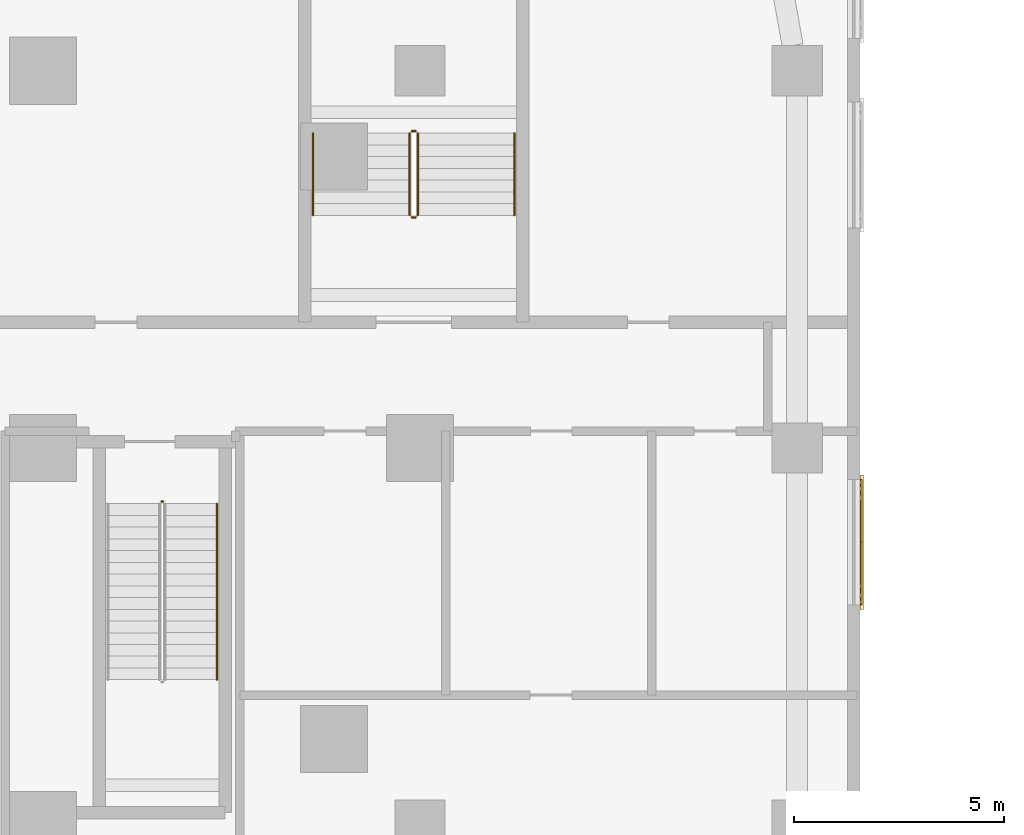
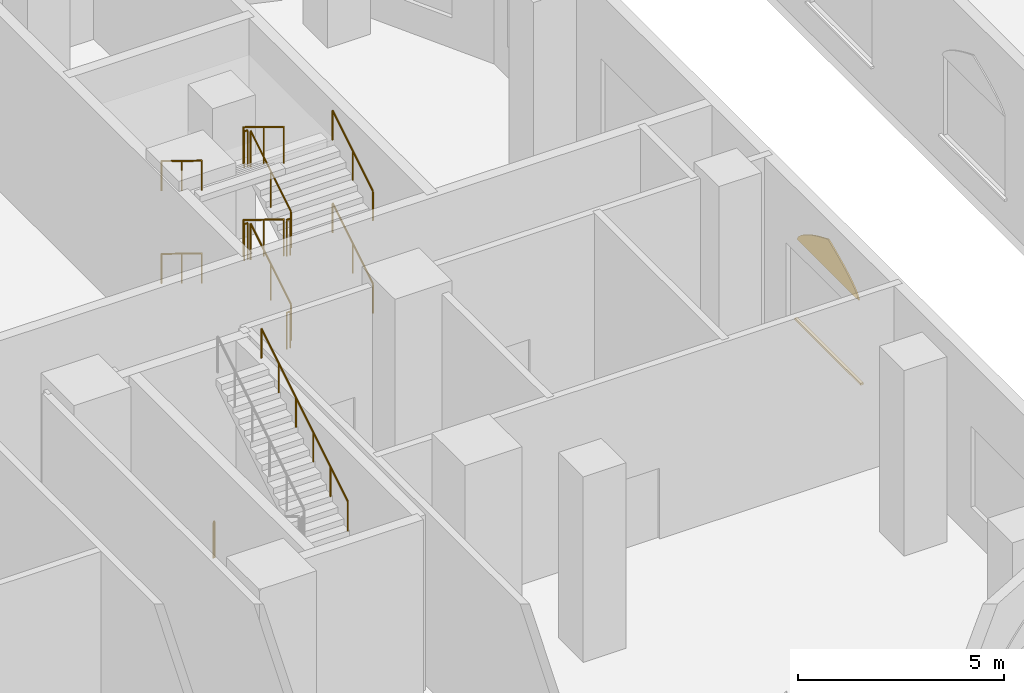
# One storey, part 28 of 31: 14 railings, 2 coverings.
"""IFC4 building model written with IfcOpenShell, lengths in metres."""

from ifc_helpers import new_model, si_unit, direction, frame, origin, origin_2d, place, context, subcontext, project, spatial, polyline, rectangle, circle, outline, extrude, material, layer, layer_set, type_object, element, save


model = new_model("IFC4")

# Units and contexts
model_context = context("Model", 3, precision=1e-05, world=origin(), true_north=direction((0.0, 1.0)))
body_context = subcontext(model_context, "Body", "Model", "MODEL_VIEW")
ifc_project = project(units=[si_unit("LENGTHUNIT", "METRE"), si_unit("AREAUNIT", "SQUARE_METRE"), si_unit("VOLUMEUNIT", "CUBIC_METRE"), si_unit("PLANEANGLEUNIT", "RADIAN"), si_unit("MASSUNIT", "GRAM", prefix="KILO")], contexts=[model_context])

# Site, building, storey
site_placement = place(None, origin())
site = spatial("IfcSite", under=ifc_project, at=site_placement, CompositionType="ELEMENT")
building_placement = place(site_placement, origin())
building = spatial("IfcBuilding", under=site, at=building_placement, Name="Ogive Portal Towers", CompositionType="ELEMENT")
storey_placement = place(building_placement, frame((0.0, 0.0, 8.0)))
storey = spatial("IfcBuildingStorey", under=building, at=storey_placement, Name="L01", CompositionType="ELEMENT", Elevation=8.0)

# Railings
ifc_material_1 = material(Name="Stainless steel balustrade", Category="steel")
railing_type_1 = type_object("IfcRailingType", Name="INT-GUARD", PredefinedType="GUARDRAIL", material=ifc_material_1)
railing_1_placement = place(storey_placement, frame((88.330078125, 29.219970703125, 0.0)))
element("IfcRailing", 1, at=railing_1_placement, inside=storey, type_object=railing_type_1, Name="L01 ST-A4 stair guard 4", PredefinedType="GUARDRAIL", context=body_context, shape_type="SweptSolid", body=[
    extrude(circle(Radius=0.02392578125, at=origin_2d()), frame((0.0, 0.0, 1.076171875), z_axis=(1.0, 0.0, 0.0), x_axis=(0.0, 1.0, 0.0)), (0.0, 0.0, 1.0), 0.0400390625),
    extrude(circle(Radius=0.02099609375, at=origin_2d()), origin(), (0.0, 0.0, 1.0), 1.052001953125),
    extrude(circle(Radius=0.02099609375, at=origin_2d()), frame((0.0400390625, 0.0, 0.0)), (0.0, 0.0, 1.0), 1.052001953125),
])
railing_2_placement = place(storey_placement, frame((94.449951171875, 36.050048828125, 0.171875)))
element("IfcRailing", 2, at=railing_2_placement, inside=storey, type_object=railing_type_1, Name="L01 ST-P1 stair guard 1", PredefinedType="GUARDRAIL", context=body_context, shape_type="SweptSolid", body=[
    extrude(circle(Radius=0.02392578125, at=origin_2d()), frame((0.0, 0.0, 1.076171875), z_axis=(0.0, 0.852240978134, 0.523149419562), x_axis=(-1.0, 0.0, 0.0)), (0.0, 0.0, 1.0), 2.2998046875),
    extrude(circle(Radius=0.02099609375, at=origin_2d()), origin(), (0.0, 0.0, 1.0), 1.052001953125),
    extrude(circle(Radius=0.02099609375, at=origin_2d()), frame((0.0, 0.97998046875, 0.6015625)), (0.0, 0.0, 1.0), 1.052001953125),
    extrude(circle(Radius=0.02099609375, at=origin_2d()), frame((0.0, 1.9599609375, 1.203125)), (0.0, 0.0, 1.0), 1.052001953125),
])
railing_3_placement = place(storey_placement, frame((94.39990234375, 38.06005859375, 1.375)))
element("IfcRailing", 3, at=railing_3_placement, inside=storey, type_object=railing_type_1, Name="L01 ST-P1 stair guard 2", PredefinedType="GUARDRAIL", context=body_context, shape_type="SweptSolid", body=[
    extrude(circle(Radius=0.02392578125, at=origin_2d()), frame((0.0, 0.0, 1.076171875), z_axis=(-1.0, 0.0, 0.0), x_axis=(0.0, -1.0, 0.0)), (0.0, 0.0, 1.0), 0.099853515625),
    extrude(circle(Radius=0.02099609375, at=origin_2d()), origin(), (0.0, 0.0, 1.0), 1.052001953125),
    extrude(circle(Radius=0.02099609375, at=origin_2d()), frame((-0.099853515625, 0.0, 0.0)), (0.0, 0.0, 1.0), 1.052001953125),
])
railing_4_placement = place(storey_placement, frame((94.25, 38.010009765625, 1.546875)))
element("IfcRailing", 4, at=railing_4_placement, inside=storey, type_object=railing_type_1, Name="L01 ST-P1 stair guard 3", PredefinedType="GUARDRAIL", context=body_context, shape_type="SweptSolid", body=[
    extrude(circle(Radius=0.02392578125, at=origin_2d()), frame((0.0, 0.0, 1.076171875), z_axis=(0.0, -0.852240978134, 0.523149419562), x_axis=(1.0, 0.0, 0.0)), (0.0, 0.0, 1.0), 2.2998046875),
    extrude(circle(Radius=0.02099609375, at=origin_2d()), origin(), (0.0, 0.0, 1.0), 1.052001953125),
    extrude(circle(Radius=0.02099609375, at=origin_2d()), frame((0.0, -0.97998046875, 0.6015625)), (0.0, 0.0, 1.0), 1.052001953125),
    extrude(circle(Radius=0.02099609375, at=origin_2d()), frame((0.0, -1.9599609375, 1.203125)), (0.0, 0.0, 1.0), 1.052001953125),
])
railing_5_placement = place(storey_placement, frame((94.39990234375, 36.0, 2.75)))
element("IfcRailing", 5, at=railing_5_placement, inside=storey, type_object=railing_type_1, Name="L01 ST-P1 stair guard 4", PredefinedType="GUARDRAIL", context=body_context, shape_type="SweptSolid", body=[
    extrude(circle(Radius=0.02392578125, at=origin_2d()), frame((0.0, 0.0, 1.076171875), z_axis=(-1.0, 0.0, 0.0), x_axis=(0.0, -1.0, 0.0)), (0.0, 0.0, 1.0), 0.099853515625),
    extrude(circle(Radius=0.02099609375, at=origin_2d()), origin(), (0.0, 0.0, 1.0), 1.052001953125),
    extrude(circle(Radius=0.02099609375, at=origin_2d()), frame((-0.099853515625, 0.0, 0.0)), (0.0, 0.0, 1.0), 1.052001953125),
])
railing_6_placement = place(storey_placement, frame((94.449951171875, 36.050048828125, 2.921875)))
element("IfcRailing", 6, at=railing_6_placement, inside=storey, type_object=railing_type_1, Name="L01 ST-P1 stair guard 5", PredefinedType="GUARDRAIL", context=body_context, shape_type="SweptSolid", body=[
    extrude(circle(Radius=0.02392578125, at=origin_2d()), frame((0.0, 0.0, 1.076171875), z_axis=(0.0, 0.852240978134, 0.523149419562), x_axis=(-1.0, 0.0, 0.0)), (0.0, 0.0, 1.0), 2.2998046875),
    extrude(circle(Radius=0.02099609375, at=origin_2d()), origin(), (0.0, 0.0, 1.0), 1.052001953125),
    extrude(circle(Radius=0.02099609375, at=origin_2d()), frame((0.0, 0.97998046875, 0.6015625)), (0.0, 0.0, 1.0), 1.052001953125),
    extrude(circle(Radius=0.02099609375, at=origin_2d()), frame((0.0, 1.9599609375, 1.203125)), (0.0, 0.0, 1.0), 1.052001953125),
])
railing_7_placement = place(storey_placement, frame((94.39990234375, 38.06005859375, 4.125)))
element("IfcRailing", 7, at=railing_7_placement, inside=storey, type_object=railing_type_1, Name="L01 ST-P1 stair guard 6", PredefinedType="GUARDRAIL", context=body_context, shape_type="SweptSolid", body=[
    extrude(circle(Radius=0.02392578125, at=origin_2d()), frame((0.0, 0.0, 1.076171875), z_axis=(-1.0, 0.0, 0.0), x_axis=(0.0, -1.0, 0.0)), (0.0, 0.0, 1.0), 0.099853515625),
    extrude(circle(Radius=0.02099609375, at=origin_2d()), origin(), (0.0, 0.0, 1.0), 1.052001953125),
    extrude(circle(Radius=0.02099609375, at=origin_2d()), frame((-0.099853515625, 0.0, 0.0)), (0.0, 0.0, 1.0), 1.052001953125),
])
railing_8_placement = place(storey_placement, frame((94.25, 38.010009765625, 4.296875)))
element("IfcRailing", 8, at=railing_8_placement, inside=storey, type_object=railing_type_1, Name="L01 ST-P1 stair guard 7", PredefinedType="GUARDRAIL", context=body_context, shape_type="SweptSolid", body=[
    extrude(circle(Radius=0.02392578125, at=origin_2d()), frame((0.0, 0.0, 1.076171875), z_axis=(0.0, -0.852240978134, 0.523149419562), x_axis=(1.0, 0.0, 0.0)), (0.0, 0.0, 1.0), 2.2998046875),
    extrude(circle(Radius=0.02099609375, at=origin_2d()), origin(), (0.0, 0.0, 1.0), 1.052001953125),
    extrude(circle(Radius=0.02099609375, at=origin_2d()), frame((0.0, -0.97998046875, 0.6015625)), (0.0, 0.0, 1.0), 1.052001953125),
    extrude(circle(Radius=0.02099609375, at=origin_2d()), frame((0.0, -1.9599609375, 1.203125)), (0.0, 0.0, 1.0), 1.052001953125),
])
railing_9_placement = place(storey_placement, frame((94.39990234375, 36.0, 0.0)))
element("IfcRailing", 9, at=railing_9_placement, inside=storey, type_object=railing_type_1, Name="L01 ST-P1 stair guard 8", PredefinedType="GUARDRAIL", context=body_context, shape_type="SweptSolid", body=[
    extrude(circle(Radius=0.02392578125, at=origin_2d()), frame((0.0, 0.0, 1.076171875), z_axis=(-1.0, 0.0, 0.0), x_axis=(0.0, -1.0, 0.0)), (0.0, 0.0, 1.0), 0.099853515625),
    extrude(circle(Radius=0.02099609375, at=origin_2d()), origin(), (0.0, 0.0, 1.0), 1.052001953125),
    extrude(circle(Radius=0.02099609375, at=origin_2d()), frame((-0.099853515625, 0.0, 0.0)), (0.0, 0.0, 1.0), 1.052001953125),
])
ifc_material_2 = material(Name="Stainless steel handrail", Category="steel")
railing_type_2 = type_object("IfcRailingType", Name="INT-HANDRAIL", PredefinedType="HANDRAIL", material=ifc_material_2)
railing_10_placement = place(storey_placement, frame((89.64990234375, 24.969970703125, 2.921875)))
element("IfcRailing", 10, at=railing_10_placement, inside=storey, type_object=railing_type_2, Name="L01 ST-A4 stair handrail 2", PredefinedType="HANDRAIL", context=body_context, shape_type="SweptSolid", body=[
    extrude(circle(Radius=0.02392578125, at=origin_2d()), frame((0.0, 0.0, 0.8759765625), z_axis=(0.0, 0.852242915053, 0.523146264196), x_axis=(-1.0, 0.0, 0.0)), (0.0, 0.0, 1.0), 4.92822265625),
    extrude(circle(Radius=0.02099609375, at=origin_2d()), origin(), (0.0, 0.0, 1.0), 0.851806640625),
    extrude(circle(Radius=0.02099609375, at=origin_2d()), frame((0.0, 0.840087890625, 0.515625)), (0.0, 0.0, 1.0), 0.851806640625),
    extrude(circle(Radius=0.02099609375, at=origin_2d()), frame((0.0, 1.679931640625, 1.03125)), (0.0, 0.0, 1.0), 0.851806640625),
    extrude(circle(Radius=0.02099609375, at=origin_2d()), frame((0.0, 2.52001953125, 1.546875)), (0.0, 0.0, 1.0), 0.851806640625),
    extrude(circle(Radius=0.02099609375, at=origin_2d()), frame((0.0, 3.35986328125, 2.0625)), (0.0, 0.0, 1.0), 0.851806640625),
    extrude(circle(Radius=0.02099609375, at=origin_2d()), frame((0.0, 4.199951171875, 2.578125)), (0.0, 0.0, 1.0), 0.851806640625),
])
railing_11_placement = place(storey_placement, frame((96.75, 36.050048828125, 0.171875)))
element("IfcRailing", 11, at=railing_11_placement, inside=storey, type_object=railing_type_2, Name="L01 ST-P1 stair handrail 1", PredefinedType="HANDRAIL", context=body_context, shape_type="SweptSolid", body=[
    extrude(circle(Radius=0.02392578125, at=origin_2d()), frame((0.0, 0.0, 0.8759765625), z_axis=(0.0, 0.852240978134, 0.523149419562), x_axis=(-1.0, 0.0, 0.0)), (0.0, 0.0, 1.0), 2.2998046875),
    extrude(circle(Radius=0.02099609375, at=origin_2d()), origin(), (0.0, 0.0, 1.0), 0.851806640625),
    extrude(circle(Radius=0.02099609375, at=origin_2d()), frame((0.0, 0.97998046875, 0.6015625)), (0.0, 0.0, 1.0), 0.851806640625),
    extrude(circle(Radius=0.02099609375, at=origin_2d()), frame((0.0, 1.9599609375, 1.203125)), (0.0, 0.0, 1.0), 0.851806640625),
])
railing_12_placement = place(storey_placement, frame((91.949951171875, 38.010009765625, 1.546875)))
element("IfcRailing", 12, at=railing_12_placement, inside=storey, type_object=railing_type_2, Name="L01 ST-P1 stair handrail 2", PredefinedType="HANDRAIL", context=body_context, shape_type="SweptSolid", body=[
    extrude(circle(Radius=0.02392578125, at=origin_2d()), frame((0.0, 0.0, 0.8759765625), z_axis=(0.0, -0.852240978134, 0.523149419562), x_axis=(1.0, 0.0, 0.0)), (0.0, 0.0, 1.0), 2.2998046875),
    extrude(circle(Radius=0.02099609375, at=origin_2d()), origin(), (0.0, 0.0, 1.0), 0.851806640625),
    extrude(circle(Radius=0.02099609375, at=origin_2d()), frame((0.0, -0.97998046875, 0.6015625)), (0.0, 0.0, 1.0), 0.851806640625),
    extrude(circle(Radius=0.02099609375, at=origin_2d()), frame((0.0, -1.9599609375, 1.203125)), (0.0, 0.0, 1.0), 0.851806640625),
])
railing_13_placement = place(storey_placement, frame((96.75, 36.050048828125, 2.921875)))
element("IfcRailing", 13, at=railing_13_placement, inside=storey, type_object=railing_type_2, Name="L01 ST-P1 stair handrail 3", PredefinedType="HANDRAIL", context=body_context, shape_type="SweptSolid", body=[
    extrude(circle(Radius=0.02392578125, at=origin_2d()), frame((0.0, 0.0, 0.8759765625), z_axis=(0.0, 0.852240978134, 0.523149419562), x_axis=(-1.0, 0.0, 0.0)), (0.0, 0.0, 1.0), 2.2998046875),
    extrude(circle(Radius=0.02099609375, at=origin_2d()), origin(), (0.0, 0.0, 1.0), 0.851806640625),
    extrude(circle(Radius=0.02099609375, at=origin_2d()), frame((0.0, 0.97998046875, 0.6015625)), (0.0, 0.0, 1.0), 0.851806640625),
    extrude(circle(Radius=0.02099609375, at=origin_2d()), frame((0.0, 1.9599609375, 1.203125)), (0.0, 0.0, 1.0), 0.851806640625),
])
railing_14_placement = place(storey_placement, frame((91.949951171875, 38.010009765625, 4.296875)))
element("IfcRailing", 14, at=railing_14_placement, inside=storey, type_object=railing_type_2, Name="L01 ST-P1 stair handrail 4", PredefinedType="HANDRAIL", context=body_context, shape_type="SweptSolid", body=[
    extrude(circle(Radius=0.02392578125, at=origin_2d()), frame((0.0, 0.0, 0.8759765625), z_axis=(0.0, -0.852240978134, 0.523149419562), x_axis=(1.0, 0.0, 0.0)), (0.0, 0.0, 1.0), 2.2998046875),
    extrude(circle(Radius=0.02099609375, at=origin_2d()), origin(), (0.0, 0.0, 1.0), 0.851806640625),
    extrude(circle(Radius=0.02099609375, at=origin_2d()), frame((0.0, -0.97998046875, 0.6015625)), (0.0, 0.0, 1.0), 0.851806640625),
    extrude(circle(Radius=0.02099609375, at=origin_2d()), frame((0.0, -1.9599609375, 1.203125)), (0.0, 0.0, 1.0), 0.851806640625),
])

# Coverings
ifc_material_3 = material(Name="Limestone cladding on lightweight block wall", Category="masonry")
ifc_layer_1 = layer(ifc_material_3, 0.0400390625)
ifc_layer_set_1 = layer_set([ifc_layer_1], Name="LANCET HEAD STONE")
covering_type_1 = type_object("IfcCoveringType", Name="LANCET HEAD STONE", PredefinedType="CLADDING", material=ifc_layer_set_1)
covering_1_placement = place(storey_placement, frame((105.0, 26.75, 3.300048828125), z_axis=(-0.999950056531, 0.0, 0.009994220538), x_axis=(0.0, 1.0, 0.0)))
element("IfcCovering", 15, at=covering_1_placement, inside=storey, type_object=covering_type_1, Name="Lancet head", PredefinedType="CLADDING", context=body_context, shape_type="SweptSolid", body=[
    extrude(outline(polyline([(0.0, 0.0), (3.0, 0.0), (2.93359375, -0.11255540702230543), (2.8125, -0.22486424561759202), (2.655517578125, -0.3374196526398974), (2.4697265625, -0.4499726196669543), (2.2587890625, -0.5625280266892596), (2.025634765625, -0.6750834337115651), (1.772216796875, -0.7873922723068517), (1.5, -0.8999476793291572), (1.227783203125, -0.7873922723068517), (0.974365234375, -0.6750834337115651), (0.7412109375, -0.5625280266892596), (0.5302734375, -0.4499726196669543), (0.344482421875, -0.3374196526398974), (0.1875, -0.22486424561759202), (0.06640625, -0.11255540702230543), (0.0, 0.0)])), origin(), (0.0, 0.0, -1.0), 0.0400390625),
])
ifc_layer_2 = layer(ifc_material_3, 0.080078125)
ifc_layer_set_2 = layer_set([ifc_layer_2], Name="STONE SILL 80")
covering_type_2 = type_object("IfcCoveringType", Name="STONE SILL 80", PredefinedType="CLADDING", material=ifc_layer_set_2)
covering_2_placement = place(storey_placement, frame((105.0400390625, 28.25, 0.840087890625), z_axis=(0.0, 0.0, 1.0), x_axis=(0.0, 1.0, 0.0)))
element("IfcCovering", 16, at=covering_2_placement, inside=storey, type_object=covering_type_2, Name="Stone sill", PredefinedType="CLADDING", context=body_context, shape_type="SweptSolid", body=[
    extrude(rectangle(XDim=3.199951171875, YDim=0.080078125, at=origin_2d()), origin(), (0.0, 0.0, 1.0), 0.06005859375),
])

save(model, "model.ifc")
